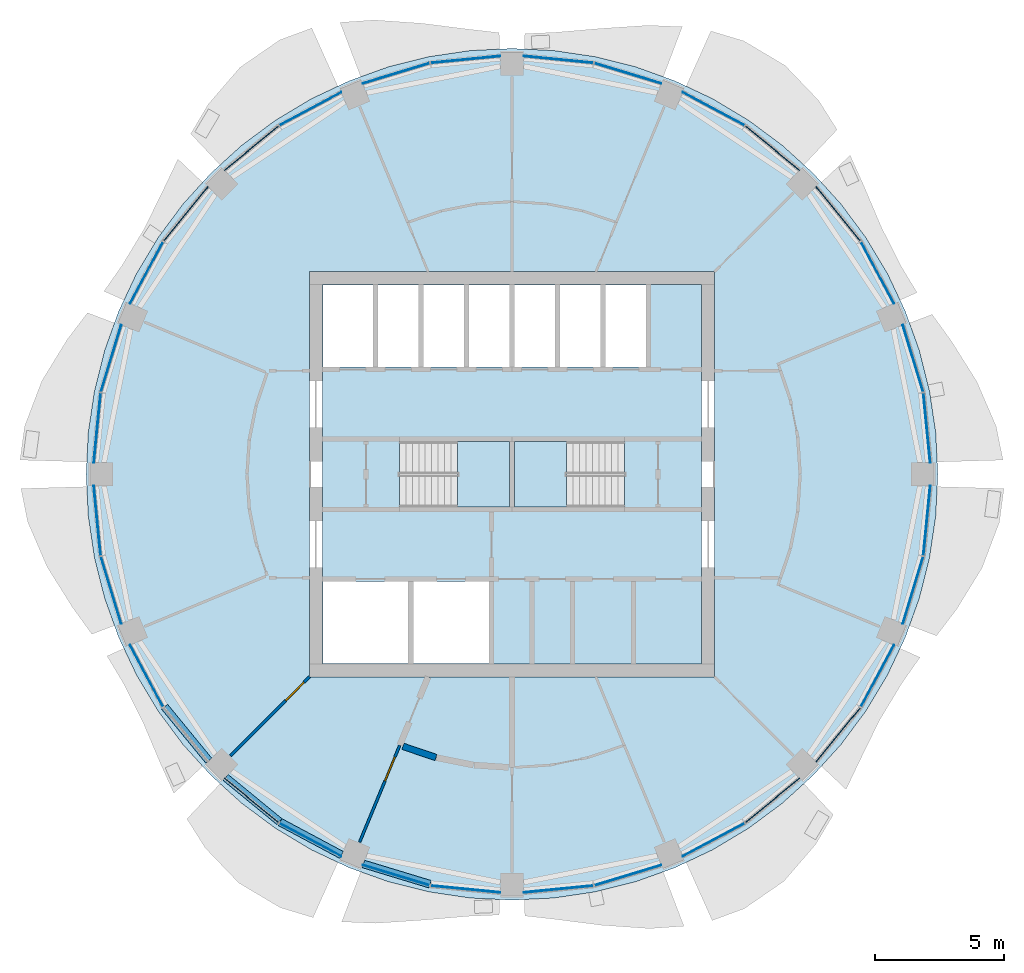
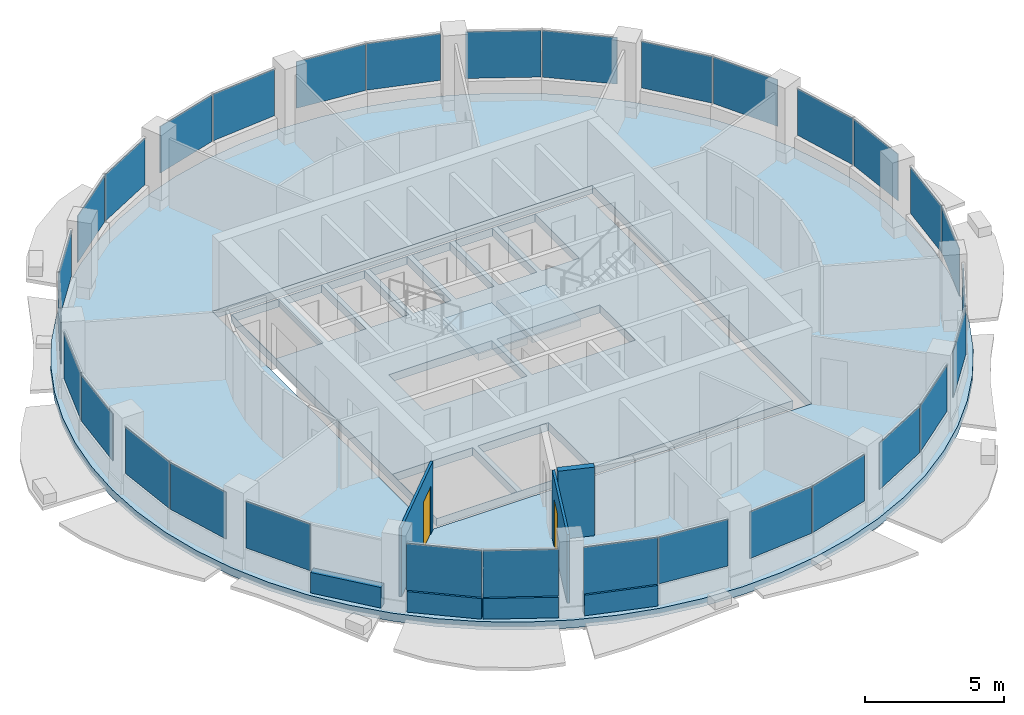
# One storey, part 7 of 15: 31 plates, 7 walls, 4 slabs, 2 doors, 2 openings, 18 elements without a shape of their own.
"""IFC4 building model written with IfcOpenShell, lengths in metres."""

from ifc_helpers import new_model, si_unit, direction, frame, frame_2d, origin, origin_2d, place, context, subcontext, project, spatial, polyline, rectangle, outline, extrude, material, layer, layer_set, type_object, element, fill, aggregate, save


model = new_model("IFC4")

# Units and contexts
model_context = context("Model", 3, precision=1e-05, world=origin(), true_north=direction((0.0, 1.0)))
body_context = subcontext(model_context, "Body", "Model", "MODEL_VIEW")
ifc_project = project(units=[si_unit("LENGTHUNIT", "METRE"), si_unit("AREAUNIT", "SQUARE_METRE"), si_unit("VOLUMEUNIT", "CUBIC_METRE"), si_unit("PLANEANGLEUNIT", "RADIAN"), si_unit("MASSUNIT", "GRAM", prefix="KILO")], contexts=[model_context])

# Site, building, storey
site_placement = place(None, origin())
site = spatial("IfcSite", under=ifc_project, at=site_placement, CompositionType="ELEMENT")
building_placement = place(site_placement, origin())
building = spatial("IfcBuilding", under=site, at=building_placement, Name="Polderwave Tower", CompositionType="ELEMENT")
storey_placement = place(building_placement, frame((0.0, 0.0, 207.75)))
storey = spatial("IfcBuildingStorey", under=building, at=storey_placement, Name="L56", CompositionType="ELEMENT", Elevation=207.75)

# Slab
ifc_material_1 = material(Name="Concrete C40/50", Category="concrete")
ifc_layer_1 = layer(ifc_material_1, 0.35009765625)
ifc_layer_set_1 = layer_set([ifc_layer_1], Name="Core floor slab 350")
slab_type_1 = type_object("IfcSlabType", Name="Core floor slab 350", PredefinedType="FLOOR", material=ifc_layer_set_1)
slab_1_placement = place(storey_placement, frame((0.0, 0.0, -0.35009765625)))
element("IfcSlab", 1, at=slab_1_placement, inside=storey, type_object=slab_type_1, Name="L56 core floor", PredefinedType="FLOOR", context=body_context, shape_type="SweptSolid", body=[
    extrude(outline(polyline([(-7.3740234375, -7.3740234375), (7.3740234375, -7.3740234375), (7.3740234375, 7.3740234375), (-7.3740234375, 7.3740234375), (-7.3740234375, -7.3740234375)]), holes=[polyline([(-7.35400390625, -7.35400390625), (-4.037109375, -7.35400390625), (-4.037109375, -4.174072265625), (-7.35400390625, -4.174072265625), (-7.35400390625, -7.35400390625)]), polyline([(-3.8369140625, -7.35400390625), (-0.89990234375, -7.35400390625), (-0.89990234375, -4.174072265625), (-3.8369140625, -4.174072265625), (-3.8369140625, -7.35400390625)]), polyline([(-7.35400390625, 4.174072265625), (-5.405517578125, 4.174072265625), (-5.405517578125, 7.35400390625), (-7.35400390625, 7.35400390625), (-7.35400390625, 4.174072265625)]), polyline([(-5.20556640625, 4.174072265625), (-3.636962890625, 4.174072265625), (-3.636962890625, 7.35400390625), (-5.20556640625, 7.35400390625), (-5.20556640625, 4.174072265625)]), polyline([(-3.43701171875, 4.174072265625), (-1.868408203125, 4.174072265625), (-1.868408203125, 7.35400390625), (-3.43701171875, 7.35400390625), (-3.43701171875, 4.174072265625)]), polyline([(-1.66845703125, 4.174072265625), (-0.10009765625, 4.174072265625), (-0.10009765625, 7.35400390625), (-1.66845703125, 7.35400390625), (-1.66845703125, 4.174072265625)]), polyline([(0.10009765625, 4.174072265625), (1.66845703125, 4.174072265625), (1.66845703125, 7.35400390625), (0.10009765625, 7.35400390625), (0.10009765625, 4.174072265625)]), polyline([(1.868408203125, 4.174072265625), (3.43701171875, 4.174072265625), (3.43701171875, 7.35400390625), (1.868408203125, 7.35400390625), (1.868408203125, 4.174072265625)]), polyline([(3.636962890625, 4.174072265625), (5.20556640625, 4.174072265625), (5.20556640625, 7.35400390625), (3.636962890625, 7.35400390625), (3.636962890625, 4.174072265625)]), polyline([(-4.37353515625, -1.2744140625), (-0.1005859375, -1.2744140625), (-0.1005859375, 1.2744140625), (-4.37353515625, 1.2744140625), (-4.37353515625, -1.2744140625)]), polyline([(0.1005859375, -1.2744140625), (4.37353515625, -1.2744140625), (4.37353515625, 1.2744140625), (0.1005859375, 1.2744140625), (0.1005859375, -1.2744140625)])]), origin(), (0.0, 0.0, 1.0), 0.35009765625),
])

# Curtain wall, plates
ifc_material_2 = material(Name="Aluminium 6063-T6 and glass", Category="aluminium")
curtain_wall_type = type_object("IfcCurtainWallType", Name="Office ribbon glazing wall", PredefinedType="NOTDEFINED", material=ifc_material_2)
curtain_wall_1_placement = place(storey_placement, origin())
curtain_wall_1 = element("IfcCurtainWall", 2, at=curtain_wall_1_placement, inside=storey, type_object=curtain_wall_type, Name="CW3 L56 00", PredefinedType="NOTDEFINED")
ifc_material_3 = material(Name="Glass, low-e laminated double glazing", Category="glass")
ifc_layer_2 = layer(ifc_material_3, 0.031982421875)
ifc_layer_set_2 = layer_set([ifc_layer_2], Name="Office ribbon glazing glass panel 32 mm")
plate_type = type_object("IfcPlateType", Name="Office ribbon glazing glass panel 32 mm", PredefinedType="CURTAIN_PANEL", material=ifc_layer_set_2)
plate_1_placement = place(storey_placement, frame((16.122802734375, 1.80126953125, 0.89990234375), z_axis=(0.0, 0.0, 1.0), x_axis=(-0.098060563362, 0.99518044892, 0.0)))
plate_1 = element("IfcPlate", 3, at=plate_1_placement, type_object=plate_type, Name="CW3 panel 1", PredefinedType="CURTAIN_PANEL", context=body_context, shape_type="SweptSolid", body=[
    extrude(rectangle(XDim=2.7158203125, YDim=0.031982421875, at=origin_2d()), origin(), (0.0, 0.0, 1.0), 2.0400390625),
])
plate_2_placement = place(storey_placement, frame((15.58447265625, 4.505615234375, 0.89990234375), z_axis=(0.0, 0.0, 1.0), x_axis=(-0.290523503373, 0.956867856074, 0.0)))
plate_2 = element("IfcPlate", 4, at=plate_2_placement, type_object=plate_type, Name="CW3 panel 2", PredefinedType="CURTAIN_PANEL", context=body_context, shape_type="SweptSolid", body=[
    extrude(rectangle(XDim=2.7158203125, YDim=0.031982421875, at=origin_2d()), origin(), (0.0, 0.0, 1.0), 2.0400390625),
])
aggregate(curtain_wall_1, [plate_1, plate_2])

curtain_wall_2_placement = place(storey_placement, origin())
curtain_wall_2 = element("IfcCurtainWall", 5, at=curtain_wall_2_placement, inside=storey, type_object=curtain_wall_type, Name="CW3 L56 01", PredefinedType="NOTDEFINED")
plate_3_placement = place(storey_placement, frame((14.2060546875, 7.83447265625, 0.89990234375), z_axis=(0.0, 0.0, 1.0), x_axis=(-0.471401354548, 0.881918796109, 0.0)))
plate_3 = element("IfcPlate", 6, at=plate_3_placement, type_object=plate_type, Name="CW3 panel 1", PredefinedType="CURTAIN_PANEL", context=body_context, shape_type="SweptSolid", body=[
    extrude(rectangle(XDim=2.71533203125, YDim=0.031982421875, at=origin_2d()), origin(), (0.0, 0.0, 1.0), 2.0400390625),
])
plate_4_placement = place(storey_placement, frame((12.67431640625, 10.126708984375, 0.89990234375), z_axis=(0.0, 0.0, 1.0), x_axis=(-0.634428361612, 0.772981664713, 0.0)))
plate_4 = element("IfcPlate", 7, at=plate_4_placement, type_object=plate_type, Name="CW3 panel 2", PredefinedType="CURTAIN_PANEL", context=body_context, shape_type="SweptSolid", body=[
    extrude(rectangle(XDim=2.715087890625, YDim=0.031982421875, at=origin_2d()), origin(), (0.0, 0.0, 1.0), 2.0400390625),
])
aggregate(curtain_wall_2, [plate_3, plate_4])

curtain_wall_3_placement = place(storey_placement, origin())
curtain_wall_3 = element("IfcCurtainWall", 8, at=curtain_wall_3_placement, inside=storey, type_object=curtain_wall_type, Name="CW3 L56 02", PredefinedType="NOTDEFINED")
plate_5_placement = place(storey_placement, frame((10.126708984375, 12.67431640625, 0.89990234375), z_axis=(0.0, 0.0, 1.0), x_axis=(-0.772981664713, 0.634428361612, 0.0)))
plate_5 = element("IfcPlate", 9, at=plate_5_placement, type_object=plate_type, Name="CW3 panel 1", PredefinedType="CURTAIN_PANEL", context=body_context, shape_type="SweptSolid", body=[
    extrude(rectangle(XDim=2.715087890625, YDim=0.031982421875, at=origin_2d()), origin(), (0.0, 0.0, 1.0), 2.0400390625),
])
plate_6_placement = place(storey_placement, frame((7.83447265625, 14.2060546875, 0.89990234375), z_axis=(0.0, 0.0, 1.0), x_axis=(-0.881918796109, 0.471401354548, 0.0)))
plate_6 = element("IfcPlate", 10, at=plate_6_placement, type_object=plate_type, Name="CW3 panel 2", PredefinedType="CURTAIN_PANEL", context=body_context, shape_type="SweptSolid", body=[
    extrude(rectangle(XDim=2.71533203125, YDim=0.031982421875, at=origin_2d()), origin(), (0.0, 0.0, 1.0), 2.0400390625),
])
aggregate(curtain_wall_3, [plate_5, plate_6])

curtain_wall_4_placement = place(storey_placement, origin())
curtain_wall_4 = element("IfcCurtainWall", 11, at=curtain_wall_4_placement, inside=storey, type_object=curtain_wall_type, Name="CW3 L56 03", PredefinedType="NOTDEFINED")
plate_7_placement = place(storey_placement, frame((4.505615234375, 15.58447265625, 0.89990234375), z_axis=(0.0, 0.0, 1.0), x_axis=(-0.956867856074, 0.290523503373, 0.0)))
plate_7 = element("IfcPlate", 12, at=plate_7_placement, type_object=plate_type, Name="CW3 panel 1", PredefinedType="CURTAIN_PANEL", context=body_context, shape_type="SweptSolid", body=[
    extrude(rectangle(XDim=2.7158203125, YDim=0.031982421875, at=origin_2d()), origin(), (0.0, 0.0, 1.0), 2.0400390625),
])
plate_8_placement = place(storey_placement, frame((1.80126953125, 16.122802734375, 0.89990234375), z_axis=(0.0, 0.0, 1.0), x_axis=(-0.99518044892, 0.098060563362, 0.0)))
plate_8 = element("IfcPlate", 13, at=plate_8_placement, type_object=plate_type, Name="CW3 panel 2", PredefinedType="CURTAIN_PANEL", context=body_context, shape_type="SweptSolid", body=[
    extrude(rectangle(XDim=2.7158203125, YDim=0.031982421875, at=origin_2d()), origin(), (0.0, 0.0, 1.0), 2.0400390625),
])
aggregate(curtain_wall_4, [plate_7, plate_8])

curtain_wall_5_placement = place(storey_placement, origin())
curtain_wall_5 = element("IfcCurtainWall", 14, at=curtain_wall_5_placement, inside=storey, type_object=curtain_wall_type, Name="CW3 L56 04", PredefinedType="NOTDEFINED")
plate_9_placement = place(storey_placement, frame((-1.80126953125, 16.122802734375, 0.89990234375), z_axis=(0.0, 0.0, 1.0), x_axis=(-0.99518044892, -0.098060563362, 0.0)))
plate_9 = element("IfcPlate", 15, at=plate_9_placement, type_object=plate_type, Name="CW3 panel 1", PredefinedType="CURTAIN_PANEL", context=body_context, shape_type="SweptSolid", body=[
    extrude(rectangle(XDim=2.7158203125, YDim=0.031982421875, at=origin_2d()), origin(), (0.0, 0.0, 1.0), 2.0400390625),
])
plate_10_placement = place(storey_placement, frame((-4.505615234375, 15.58447265625, 0.89990234375), z_axis=(0.0, 0.0, 1.0), x_axis=(-0.956867856074, -0.290523503373, 0.0)))
plate_10 = element("IfcPlate", 16, at=plate_10_placement, type_object=plate_type, Name="CW3 panel 2", PredefinedType="CURTAIN_PANEL", context=body_context, shape_type="SweptSolid", body=[
    extrude(rectangle(XDim=2.7158203125, YDim=0.031982421875, at=origin_2d()), origin(), (0.0, 0.0, 1.0), 2.0400390625),
])
aggregate(curtain_wall_5, [plate_9, plate_10])

curtain_wall_6_placement = place(storey_placement, origin())
curtain_wall_6 = element("IfcCurtainWall", 17, at=curtain_wall_6_placement, inside=storey, type_object=curtain_wall_type, Name="CW3 L56 05", PredefinedType="NOTDEFINED")
plate_11_placement = place(storey_placement, frame((-7.83447265625, 14.2060546875, 0.89990234375), z_axis=(0.0, 0.0, 1.0), x_axis=(-0.881918796109, -0.471401354548, 0.0)))
plate_11 = element("IfcPlate", 18, at=plate_11_placement, type_object=plate_type, Name="CW3 panel 1", PredefinedType="CURTAIN_PANEL", context=body_context, shape_type="SweptSolid", body=[
    extrude(rectangle(XDim=2.71533203125, YDim=0.031982421875, at=origin_2d()), origin(), (0.0, 0.0, 1.0), 2.0400390625),
])
plate_12_placement = place(storey_placement, frame((-10.126708984375, 12.67431640625, 0.89990234375), z_axis=(0.0, 0.0, 1.0), x_axis=(-0.772981664713, -0.634428361612, 0.0)))
plate_12 = element("IfcPlate", 19, at=plate_12_placement, type_object=plate_type, Name="CW3 panel 2", PredefinedType="CURTAIN_PANEL", context=body_context, shape_type="SweptSolid", body=[
    extrude(rectangle(XDim=2.715087890625, YDim=0.031982421875, at=origin_2d()), origin(), (0.0, 0.0, 1.0), 2.0400390625),
])
aggregate(curtain_wall_6, [plate_11, plate_12])

curtain_wall_7_placement = place(storey_placement, origin())
curtain_wall_7 = element("IfcCurtainWall", 20, at=curtain_wall_7_placement, inside=storey, type_object=curtain_wall_type, Name="CW3 L56 06", PredefinedType="NOTDEFINED")
plate_13_placement = place(storey_placement, frame((-12.67431640625, 10.126708984375, 0.89990234375), z_axis=(0.0, 0.0, 1.0), x_axis=(-0.634428361612, -0.772981664713, 0.0)))
plate_13 = element("IfcPlate", 21, at=plate_13_placement, type_object=plate_type, Name="CW3 panel 1", PredefinedType="CURTAIN_PANEL", context=body_context, shape_type="SweptSolid", body=[
    extrude(rectangle(XDim=2.715087890625, YDim=0.031982421875, at=origin_2d()), origin(), (0.0, 0.0, 1.0), 2.0400390625),
])
plate_14_placement = place(storey_placement, frame((-14.2060546875, 7.83447265625, 0.89990234375), z_axis=(0.0, 0.0, 1.0), x_axis=(-0.471401354548, -0.881918796109, 0.0)))
plate_14 = element("IfcPlate", 22, at=plate_14_placement, type_object=plate_type, Name="CW3 panel 2", PredefinedType="CURTAIN_PANEL", context=body_context, shape_type="SweptSolid", body=[
    extrude(rectangle(XDim=2.71533203125, YDim=0.031982421875, at=origin_2d()), origin(), (0.0, 0.0, 1.0), 2.0400390625),
])
aggregate(curtain_wall_7, [plate_13, plate_14])

curtain_wall_8_placement = place(storey_placement, origin())
curtain_wall_8 = element("IfcCurtainWall", 23, at=curtain_wall_8_placement, inside=storey, type_object=curtain_wall_type, Name="CW3 L56 07", PredefinedType="NOTDEFINED")
plate_15_placement = place(storey_placement, frame((-15.58447265625, 4.505615234375, 0.89990234375), z_axis=(0.0, 0.0, 1.0), x_axis=(-0.290523503373, -0.956867856074, 0.0)))
plate_15 = element("IfcPlate", 24, at=plate_15_placement, type_object=plate_type, Name="CW3 panel 1", PredefinedType="CURTAIN_PANEL", context=body_context, shape_type="SweptSolid", body=[
    extrude(rectangle(XDim=2.7158203125, YDim=0.031982421875, at=origin_2d()), origin(), (0.0, 0.0, 1.0), 2.0400390625),
])
plate_16_placement = place(storey_placement, frame((-16.122802734375, 1.80126953125, 0.89990234375), z_axis=(0.0, 0.0, 1.0), x_axis=(-0.098060563362, -0.99518044892, 0.0)))
plate_16 = element("IfcPlate", 25, at=plate_16_placement, type_object=plate_type, Name="CW3 panel 2", PredefinedType="CURTAIN_PANEL", context=body_context, shape_type="SweptSolid", body=[
    extrude(rectangle(XDim=2.7158203125, YDim=0.031982421875, at=origin_2d()), origin(), (0.0, 0.0, 1.0), 2.0400390625),
])
aggregate(curtain_wall_8, [plate_15, plate_16])

curtain_wall_9_placement = place(storey_placement, origin())
curtain_wall_9 = element("IfcCurtainWall", 26, at=curtain_wall_9_placement, inside=storey, type_object=curtain_wall_type, Name="CW3 L56 08", PredefinedType="NOTDEFINED")
plate_17_placement = place(storey_placement, frame((-16.122802734375, -1.80126953125, 0.89990234375), z_axis=(0.0, 0.0, 1.0), x_axis=(0.098060563362, -0.99518044892, 0.0)))
plate_17 = element("IfcPlate", 27, at=plate_17_placement, type_object=plate_type, Name="CW3 panel 1", PredefinedType="CURTAIN_PANEL", context=body_context, shape_type="SweptSolid", body=[
    extrude(rectangle(XDim=2.7158203125, YDim=0.031982421875, at=origin_2d()), origin(), (0.0, 0.0, 1.0), 2.0400390625),
])
plate_18_placement = place(storey_placement, frame((-15.58447265625, -4.505615234375, 0.89990234375), z_axis=(0.0, 0.0, 1.0), x_axis=(0.290523503373, -0.956867856074, 0.0)))
plate_18 = element("IfcPlate", 28, at=plate_18_placement, type_object=plate_type, Name="CW3 panel 2", PredefinedType="CURTAIN_PANEL", context=body_context, shape_type="SweptSolid", body=[
    extrude(rectangle(XDim=2.7158203125, YDim=0.031982421875, at=origin_2d()), origin(), (0.0, 0.0, 1.0), 2.0400390625),
])
aggregate(curtain_wall_9, [plate_17, plate_18])

# Curtain wall, plate
curtain_wall_10_placement = place(storey_placement, origin())
curtain_wall_10 = element("IfcCurtainWall", 29, at=curtain_wall_10_placement, inside=storey, type_object=curtain_wall_type, Name="CW3 L56 09", PredefinedType="NOTDEFINED")
plate_19_placement = place(storey_placement, frame((-14.2060546875, -7.83447265625, 0.89990234375), z_axis=(0.0, 0.0, 1.0), x_axis=(0.471401354548, -0.881918796109, 0.0)))
plate_19 = element("IfcPlate", 30, at=plate_19_placement, type_object=plate_type, Name="CW3 panel 1", PredefinedType="CURTAIN_PANEL", context=body_context, shape_type="SweptSolid", body=[
    extrude(rectangle(XDim=2.71533203125, YDim=0.031982421875, at=origin_2d()), origin(), (0.0, 0.0, 1.0), 2.0400390625),
])
aggregate(curtain_wall_10, [plate_19])

# Curtain wall, plates
curtain_wall_11_placement = place(storey_placement, origin())
curtain_wall_11 = element("IfcCurtainWall", 31, at=curtain_wall_11_placement, inside=storey, type_object=curtain_wall_type, Name="CW3 L56 10", PredefinedType="NOTDEFINED")
plate_20_placement = place(storey_placement, frame((-10.126708984375, -12.67431640625, 0.89990234375), z_axis=(0.0, 0.0, 1.0), x_axis=(0.772981664713, -0.634428361612, 0.0)))
plate_20 = element("IfcPlate", 32, at=plate_20_placement, type_object=plate_type, Name="CW3 panel 1", PredefinedType="CURTAIN_PANEL", context=body_context, shape_type="SweptSolid", body=[
    extrude(rectangle(XDim=2.715087890625, YDim=0.031982421875, at=origin_2d()), origin(), (0.0, 0.0, 1.0), 2.0400390625),
])
plate_21_placement = place(storey_placement, frame((-7.83447265625, -14.2060546875, 0.89990234375), z_axis=(0.0, 0.0, 1.0), x_axis=(0.881918796109, -0.471401354548, 0.0)))
plate_21 = element("IfcPlate", 33, at=plate_21_placement, type_object=plate_type, Name="CW3 panel 2", PredefinedType="CURTAIN_PANEL", context=body_context, shape_type="SweptSolid", body=[
    extrude(rectangle(XDim=2.71533203125, YDim=0.031982421875, at=origin_2d()), origin(), (0.0, 0.0, 1.0), 2.0400390625),
])
aggregate(curtain_wall_11, [plate_20, plate_21])

curtain_wall_12_placement = place(storey_placement, origin())
curtain_wall_12 = element("IfcCurtainWall", 34, at=curtain_wall_12_placement, inside=storey, type_object=curtain_wall_type, Name="CW3 L56 11", PredefinedType="NOTDEFINED")
plate_22_placement = place(storey_placement, frame((-4.505615234375, -15.58447265625, 0.89990234375), z_axis=(0.0, 0.0, 1.0), x_axis=(0.956867856074, -0.290523503373, 0.0)))
plate_22 = element("IfcPlate", 35, at=plate_22_placement, type_object=plate_type, Name="CW3 panel 1", PredefinedType="CURTAIN_PANEL", context=body_context, shape_type="SweptSolid", body=[
    extrude(rectangle(XDim=2.7158203125, YDim=0.031982421875, at=origin_2d()), origin(), (0.0, 0.0, 1.0), 2.0400390625),
])
plate_23_placement = place(storey_placement, frame((-1.80126953125, -16.122802734375, 0.89990234375), z_axis=(0.0, 0.0, 1.0), x_axis=(0.99518044892, -0.098060563362, 0.0)))
plate_23 = element("IfcPlate", 36, at=plate_23_placement, type_object=plate_type, Name="CW3 panel 2", PredefinedType="CURTAIN_PANEL", context=body_context, shape_type="SweptSolid", body=[
    extrude(rectangle(XDim=2.7158203125, YDim=0.031982421875, at=origin_2d()), origin(), (0.0, 0.0, 1.0), 2.0400390625),
])
aggregate(curtain_wall_12, [plate_22, plate_23])

curtain_wall_13_placement = place(storey_placement, origin())
curtain_wall_13 = element("IfcCurtainWall", 37, at=curtain_wall_13_placement, inside=storey, type_object=curtain_wall_type, Name="CW3 L56 12", PredefinedType="NOTDEFINED")
plate_24_placement = place(storey_placement, frame((1.80126953125, -16.122802734375, 0.89990234375), z_axis=(0.0, 0.0, 1.0), x_axis=(0.99518044892, 0.098060563362, 0.0)))
plate_24 = element("IfcPlate", 38, at=plate_24_placement, type_object=plate_type, Name="CW3 panel 1", PredefinedType="CURTAIN_PANEL", context=body_context, shape_type="SweptSolid", body=[
    extrude(rectangle(XDim=2.7158203125, YDim=0.031982421875, at=origin_2d()), origin(), (0.0, 0.0, 1.0), 2.0400390625),
])
plate_25_placement = place(storey_placement, frame((4.505615234375, -15.58447265625, 0.89990234375), z_axis=(0.0, 0.0, 1.0), x_axis=(0.956867856074, 0.290523503373, 0.0)))
plate_25 = element("IfcPlate", 39, at=plate_25_placement, type_object=plate_type, Name="CW3 panel 2", PredefinedType="CURTAIN_PANEL", context=body_context, shape_type="SweptSolid", body=[
    extrude(rectangle(XDim=2.7158203125, YDim=0.031982421875, at=origin_2d()), origin(), (0.0, 0.0, 1.0), 2.0400390625),
])
aggregate(curtain_wall_13, [plate_24, plate_25])

curtain_wall_14_placement = place(storey_placement, origin())
curtain_wall_14 = element("IfcCurtainWall", 40, at=curtain_wall_14_placement, inside=storey, type_object=curtain_wall_type, Name="CW3 L56 13", PredefinedType="NOTDEFINED")
plate_26_placement = place(storey_placement, frame((7.83447265625, -14.2060546875, 0.89990234375), z_axis=(0.0, 0.0, 1.0), x_axis=(0.881918796109, 0.471401354548, 0.0)))
plate_26 = element("IfcPlate", 41, at=plate_26_placement, type_object=plate_type, Name="CW3 panel 1", PredefinedType="CURTAIN_PANEL", context=body_context, shape_type="SweptSolid", body=[
    extrude(rectangle(XDim=2.71533203125, YDim=0.031982421875, at=origin_2d()), origin(), (0.0, 0.0, 1.0), 2.0400390625),
])
plate_27_placement = place(storey_placement, frame((10.126708984375, -12.67431640625, 0.89990234375), z_axis=(0.0, 0.0, 1.0), x_axis=(0.772981664713, 0.634428361612, 0.0)))
plate_27 = element("IfcPlate", 42, at=plate_27_placement, type_object=plate_type, Name="CW3 panel 2", PredefinedType="CURTAIN_PANEL", context=body_context, shape_type="SweptSolid", body=[
    extrude(rectangle(XDim=2.715087890625, YDim=0.031982421875, at=origin_2d()), origin(), (0.0, 0.0, 1.0), 2.0400390625),
])
aggregate(curtain_wall_14, [plate_26, plate_27])

curtain_wall_15_placement = place(storey_placement, origin())
curtain_wall_15 = element("IfcCurtainWall", 43, at=curtain_wall_15_placement, inside=storey, type_object=curtain_wall_type, Name="CW3 L56 14", PredefinedType="NOTDEFINED")
plate_28_placement = place(storey_placement, frame((12.67431640625, -10.126708984375, 0.89990234375), z_axis=(0.0, 0.0, 1.0), x_axis=(0.634428361612, 0.772981664713, 0.0)))
plate_28 = element("IfcPlate", 44, at=plate_28_placement, type_object=plate_type, Name="CW3 panel 1", PredefinedType="CURTAIN_PANEL", context=body_context, shape_type="SweptSolid", body=[
    extrude(rectangle(XDim=2.715087890625, YDim=0.031982421875, at=origin_2d()), origin(), (0.0, 0.0, 1.0), 2.0400390625),
])
plate_29_placement = place(storey_placement, frame((14.2060546875, -7.83447265625, 0.89990234375), z_axis=(0.0, 0.0, 1.0), x_axis=(0.471401354548, 0.881918796109, 0.0)))
plate_29 = element("IfcPlate", 45, at=plate_29_placement, type_object=plate_type, Name="CW3 panel 2", PredefinedType="CURTAIN_PANEL", context=body_context, shape_type="SweptSolid", body=[
    extrude(rectangle(XDim=2.71533203125, YDim=0.031982421875, at=origin_2d()), origin(), (0.0, 0.0, 1.0), 2.0400390625),
])
aggregate(curtain_wall_15, [plate_28, plate_29])

curtain_wall_16_placement = place(storey_placement, origin())
curtain_wall_16 = element("IfcCurtainWall", 46, at=curtain_wall_16_placement, inside=storey, type_object=curtain_wall_type, Name="CW3 L56 15", PredefinedType="NOTDEFINED")
plate_30_placement = place(storey_placement, frame((15.58447265625, -4.505615234375, 0.89990234375), z_axis=(0.0, 0.0, 1.0), x_axis=(0.290523503373, 0.956867856074, 0.0)))
plate_30 = element("IfcPlate", 47, at=plate_30_placement, type_object=plate_type, Name="CW3 panel 1", PredefinedType="CURTAIN_PANEL", context=body_context, shape_type="SweptSolid", body=[
    extrude(rectangle(XDim=2.7158203125, YDim=0.031982421875, at=origin_2d()), origin(), (0.0, 0.0, 1.0), 2.0400390625),
])
plate_31_placement = place(storey_placement, frame((16.122802734375, -1.80126953125, 0.89990234375), z_axis=(0.0, 0.0, 1.0), x_axis=(0.098060563362, 0.99518044892, 0.0)))
plate_31 = element("IfcPlate", 48, at=plate_31_placement, type_object=plate_type, Name="CW3 panel 2", PredefinedType="CURTAIN_PANEL", context=body_context, shape_type="SweptSolid", body=[
    extrude(rectangle(XDim=2.7158203125, YDim=0.031982421875, at=origin_2d()), origin(), (0.0, 0.0, 1.0), 2.0400390625),
])
aggregate(curtain_wall_16, [plate_30, plate_31])

# Slab
ifc_layer_3 = layer(ifc_material_1, 0.35009765625)
ifc_layer_set_3 = layer_set([ifc_layer_3], Name="PT FLOOR SLAB 350 C40/50")
slab_type_2 = type_object("IfcSlabType", Name="PT FLOOR SLAB 350 C40/50", PredefinedType="FLOOR", material=ifc_layer_set_3)
slab_2_placement = place(storey_placement, frame((0.0, 0.0, -0.35009765625)))
element("IfcSlab", 49, at=slab_2_placement, inside=storey, type_object=slab_type_2, Name="ST-SLAB-L56", PredefinedType="FLOOR", context=body_context, shape_type="SweptSolid", body=[
    extrude(outline(polyline([(16.550048828125, 0.0), (16.47021484375, 1.622314453125), (16.23193359375, 3.228759765625), (15.83740234375, 4.80419921875), (15.290283203125, 6.33349609375), (14.595703125, 7.801513671875), (13.7607421875, 9.194580078125), (12.793212890625, 10.499267578125), (11.70263671875, 11.70263671875), (10.499267578125, 12.793212890625), (9.194580078125, 13.7607421875), (7.801513671875, 14.595703125), (6.33349609375, 15.290283203125), (4.80419921875, 15.83740234375), (3.228759765625, 16.23193359375), (1.622314453125, 16.47021484375), (0.0, 16.550048828125), (-1.622314453125, 16.47021484375), (-3.228759765625, 16.23193359375), (-4.80419921875, 15.83740234375), (-6.33349609375, 15.290283203125), (-7.801513671875, 14.595703125), (-9.194580078125, 13.7607421875), (-10.499267578125, 12.793212890625), (-11.70263671875, 11.70263671875), (-12.793212890625, 10.499267578125), (-13.7607421875, 9.194580078125), (-14.595703125, 7.801513671875), (-15.290283203125, 6.33349609375), (-15.83740234375, 4.80419921875), (-16.23193359375, 3.228759765625), (-16.47021484375, 1.622314453125), (-16.550048828125, 0.0), (-16.47021484375, -1.622314453125), (-16.23193359375, -3.228759765625), (-15.83740234375, -4.80419921875), (-15.290283203125, -6.33349609375), (-14.595703125, -7.801513671875), (-13.7607421875, -9.194580078125), (-12.793212890625, -10.499267578125), (-11.70263671875, -11.70263671875), (-10.499267578125, -12.793212890625), (-9.194580078125, -13.7607421875), (-7.801513671875, -14.595703125), (-6.33349609375, -15.290283203125), (-4.80419921875, -15.83740234375), (-3.228759765625, -16.23193359375), (-1.622314453125, -16.47021484375), (0.0, -16.550048828125), (1.622314453125, -16.47021484375), (3.228759765625, -16.23193359375), (4.80419921875, -15.83740234375), (6.33349609375, -15.290283203125), (7.801513671875, -14.595703125), (9.194580078125, -13.7607421875), (10.499267578125, -12.793212890625), (11.70263671875, -11.70263671875), (12.793212890625, -10.499267578125), (13.7607421875, -9.194580078125), (14.595703125, -7.801513671875), (15.290283203125, -6.33349609375), (15.83740234375, -4.80419921875), (16.23193359375, -3.228759765625), (16.47021484375, -1.622314453125), (16.550048828125, 0.0)]), holes=[polyline([(-7.8740234375, -7.8740234375), (7.8740234375, -7.8740234375), (7.8740234375, 7.8740234375), (-7.8740234375, 7.8740234375), (-7.8740234375, -7.8740234375)])]), origin(), (0.0, 0.0, 1.0), 0.35009765625),
])

# Stair, slab
stair_type = type_object("IfcStairType", Name="Exit stair 1200 x 20 risers", PredefinedType="HALF_TURN_STAIR", material=ifc_material_1)
stair_1_placement = place(storey_placement, origin())
stair_1 = element("IfcStair", 50, at=stair_1_placement, inside=storey, type_object=stair_type, Name="L56 Exit stair A", PredefinedType="HALF_TURN_STAIR")
ifc_layer_4 = layer(ifc_material_1, 0.300048828125)
ifc_layer_set_4 = layer_set([ifc_layer_4], Name="Stair landing 300")
slab_type_3 = type_object("IfcSlabType", Name="Stair landing 300", PredefinedType="LANDING", material=ifc_layer_set_4)
slab_3_placement = place(storey_placement, frame((0.0, 0.0, 1.375)))
slab_3 = element("IfcSlab", 51, at=slab_3_placement, type_object=slab_type_3, Name="ST-A landing 1", PredefinedType="LANDING", context=body_context, shape_type="SweptSolid", body=[
    extrude(outline(polyline([(-2.1240234375, -1.27490234375), (-0.10009765625, -1.27490234375), (-0.10009765625, 1.27490234375), (-2.1240234375, 1.27490234375), (-2.1240234375, -1.27490234375)])), origin(), (0.0, 0.0, 1.0), 0.300048828125),
])
aggregate(stair_1, [slab_3])

stair_2_placement = place(storey_placement, origin())
stair_2 = element("IfcStair", 52, at=stair_2_placement, inside=storey, type_object=stair_type, Name="L56 Exit stair B", PredefinedType="HALF_TURN_STAIR")
slab_4_placement = place(storey_placement, frame((0.0, 0.0, 1.375)))
slab_4 = element("IfcSlab", 53, at=slab_4_placement, type_object=slab_type_3, Name="ST-B landing 1", PredefinedType="LANDING", context=body_context, shape_type="SweptSolid", body=[
    extrude(outline(polyline([(2.1240234375, 1.27490234375), (0.10009765625, 1.27490234375), (0.10009765625, -1.27490234375), (2.1240234375, -1.27490234375), (2.1240234375, 1.27490234375)])), origin(), (0.0, 0.0, 1.0), 0.300048828125),
])
aggregate(stair_2, [slab_4])

# Walls
ifc_material_4 = material(Name="Concrete C50/60 (board-marked)", Category="concrete")
ifc_layer_5 = layer(ifc_material_4, 0.300048828125)
ifc_layer_set_5 = layer_set([ifc_layer_5], Name="Concrete spandrel upstand C50/60")
wall_type_1 = type_object("IfcWallType", Name="Concrete spandrel upstand C50/60", PredefinedType="SOLIDWALL", material=ifc_layer_set_5)
for number, where, z_axis, x_axis, name in (
    (54, (-13.50146484375, -9.03955078125, 0.0), (0.0, 0.0, 1.0), (0.634161642253, -0.773200498897, 0.0), "Spandrel L56 10b"),
    (55, (-11.13037109375, -11.78662109375, 0.0), (0.0, 0.0, 1.0), (0.773200498897, -0.634161642253, 0.0), "Spandrel L56 11a"),
    (56, (-9.014892578125, -13.51806640625, 0.0), (0.0, 0.0, 1.0), (0.881887660835, -0.471459599189, 0.0), "Spandrel L56 11b"),
):
    element("IfcWall", number, at=place(storey_placement, frame(where, z_axis=z_axis, x_axis=x_axis)), inside=storey, type_object=wall_type_1, Name=name, PredefinedType="SOLIDWALL", context=body_context, shape_type="SweptSolid", body=[
        extrude(rectangle(XDim=2.7041015625, YDim=0.300048828125, at=frame_2d((1.35205078125, 0.0))), origin(), (0.0, 0.0, 1.0), 0.89990234375),
    ])
wall_1_placement = place(storey_placement, frame((-5.772705078125, -15.1474609375, 0.0), z_axis=(0.0, 0.0, 1.0), x_axis=(0.956842043529, -0.290608505958, 0.0)))
element("IfcWall", 57, at=wall_1_placement, inside=storey, type_object=wall_type_1, Name="Spandrel L56 12a", PredefinedType="SOLIDWALL", context=body_context, shape_type="SweptSolid", body=[
    extrude(rectangle(XDim=2.705078125, YDim=0.300048828125, at=frame_2d((1.3525390625, 0.0))), origin(), (0.0, 0.0, 1.0), 0.89990234375),
])

# Wall, opening, door
ifc_material_5 = material(Name="Plasterboard on steel studs", Category="steel")
ifc_layer_6 = layer(ifc_material_5, 0.10009765625)
ifc_layer_set_6 = layer_set([ifc_layer_6], Name="Partition 100 mm plasterboard on steel studs")
wall_type_2 = type_object("IfcWallType", Name="Partition 100 mm plasterboard on steel studs", PredefinedType="PARTITIONING", material=ifc_layer_set_6)
wall_2_placement = place(storey_placement, frame((-7.8740234375, -7.8740234375, 0.0), z_axis=(0.0, 0.0, 1.0), x_axis=(-0.707106781187, -0.707106781187, 0.0)))
wall_2 = element("IfcWall", 58, at=wall_2_placement, inside=storey, type_object=wall_type_2, Name="IN-L56-W036", PredefinedType="PARTITIONING", context=body_context, shape_type="SweptSolid", body=[
    extrude(rectangle(XDim=4.33447265625, YDim=0.10009765625, at=frame_2d((2.167236328125, 0.0))), origin(), (0.0, 0.0, 1.0), 3.0),
])
opening_1_placement = place(wall_2_placement, frame((0.300048828125, 0.0, 0.0)))
opening_1 = element("IfcOpeningElement", 59, at=opening_1_placement, cuts=wall_2, Name="Opening L56-D61", PredefinedType="OPENING", context=body_context, shape_type="SweptSolid", body=[
    extrude(rectangle(XDim=1.0, YDim=2.10009765625, at=frame_2d((0.5, 1.050048828125))), frame((0.0, 0.06005859375, 0.0), z_axis=(0.0, -1.0, 0.0), x_axis=(1.0, 0.0, 0.0)), (0.0, 0.0, 1.0), 0.1201171875),
])
ifc_material_6 = material(Name="Timber veneer door leaf", Category="wood")
door_type = type_object("IfcDoorType", Name="Single door 1000 x 2100", OperationType="NOTDEFINED", PredefinedType="DOOR", material=ifc_material_6)
door_1_placement = place(opening_1_placement, origin())
door_1 = element("IfcDoor", 60, at=door_1_placement, inside=storey, type_object=door_type, Name="Door L56-D61", OperationType="SINGLE_SWING_LEFT", OverallHeight=2.10009765625, OverallWidth=1.0, PredefinedType="DOOR", context=body_context, shape_type="SweptSolid", body=[
    extrude(rectangle(XDim=1.0, YDim=2.10009765625, at=frame_2d((0.5, 1.050048828125))), frame((0.0, 0.02490234375, 0.0), z_axis=(0.0, -1.0, 0.0), x_axis=(1.0, 0.0, 0.0)), (0.0, 0.0, 1.0), 0.050048828125),
])
fill(opening_1, door_1)

wall_3_placement = place(storey_placement, frame((-4.362548828125, -10.5322265625, 0.0), z_axis=(0.0, 0.0, 1.0), x_axis=(-0.382697907061, -0.923873536763, 0.0)))
wall_3 = element("IfcWall", 61, at=wall_3_placement, inside=storey, type_object=wall_type_2, Name="IN-L56-W038", PredefinedType="PARTITIONING", context=body_context, shape_type="SweptSolid", body=[
    extrude(rectangle(XDim=4.070068359375, YDim=0.10009765625, at=frame_2d((2.03515625, 0.0))), origin(), (0.0, 0.0, 1.0), 3.0),
])
opening_2_placement = place(wall_3_placement, frame((0.5, 0.0, 0.0)))
opening_2 = element("IfcOpeningElement", 62, at=opening_2_placement, cuts=wall_3, Name="Opening L56-D63", PredefinedType="OPENING", context=body_context, shape_type="SweptSolid", body=[
    extrude(rectangle(XDim=1.0, YDim=2.10009765625, at=frame_2d((0.5, 1.050048828125))), frame((0.0, 0.06005859375, 0.0), z_axis=(0.0, -1.0, 0.0), x_axis=(1.0, 0.0, 0.0)), (0.0, 0.0, 1.0), 0.1201171875),
])
door_2_placement = place(opening_2_placement, origin())
door_2 = element("IfcDoor", 63, at=door_2_placement, inside=storey, type_object=door_type, Name="Door L56-D63", OperationType="SINGLE_SWING_LEFT", OverallHeight=2.10009765625, OverallWidth=1.0, PredefinedType="DOOR", context=body_context, shape_type="SweptSolid", body=[
    extrude(rectangle(XDim=1.0, YDim=2.10009765625, at=frame_2d((0.5, 1.050048828125))), frame((0.0, 0.02490234375, 0.0), z_axis=(0.0, -1.0, 0.0), x_axis=(1.0, 0.0, 0.0)), (0.0, 0.0, 1.0), 0.050048828125),
])
fill(opening_2, door_2)

# Wall
ifc_material_7 = material(Name="Fire-resisting board on steel studs, mineral wool", Category="steel")
ifc_layer_7 = layer(ifc_material_7, 0.25)
ifc_layer_set_7 = layer_set([ifc_layer_7], Name="Plant room wall 250 mm EI 120")
wall_type_3 = type_object("IfcWallType", Name="Plant room wall 250 mm EI 120", PredefinedType="PARTITIONING", material=ifc_layer_set_7)
wall_4_placement = place(storey_placement, frame((-2.958251953125, -11.009033203125, 0.0), z_axis=(0.0, 0.0, 1.0), x_axis=(-0.946913805822, 0.321487549283, 0.0)))
element("IfcWall", 64, at=wall_4_placement, inside=storey, type_object=wall_type_3, Name="IN-L56-W039", PredefinedType="PARTITIONING", context=body_context, shape_type="SweptSolid", body=[
    extrude(rectangle(XDim=1.349365234375, YDim=0.25, at=frame_2d((0.6748046875, 0.0))), origin(), (0.0, 0.0, 1.0), 3.0),
])

save(model, "model.ifc")
